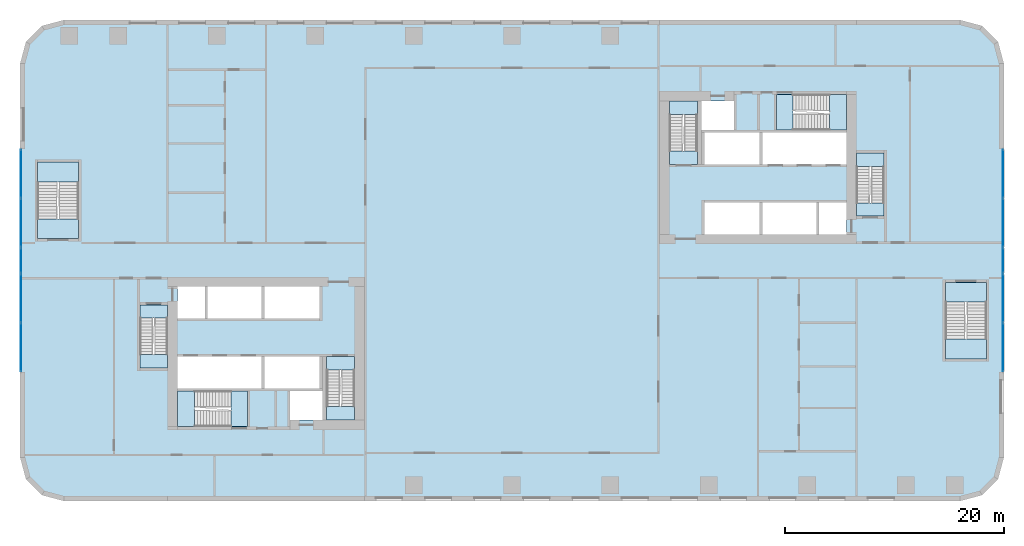
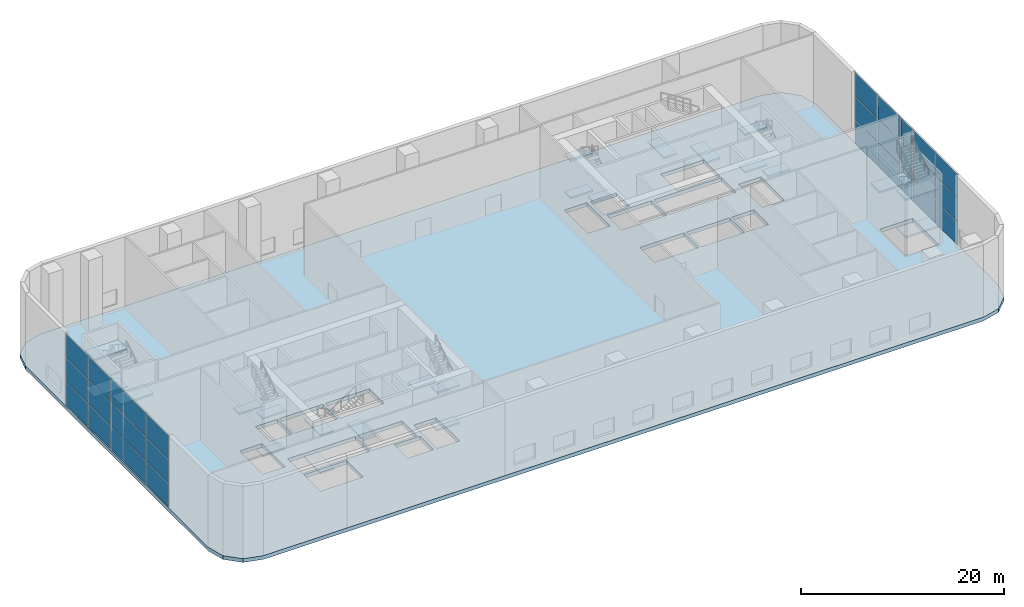
# One storey, part 4 of 24: 30 plates, 24 slabs, 14 elements without a shape of their own.
"""IFC4 building model written with IfcOpenShell, lengths in metres."""

import ifcopenshell
import ifcopenshell.guid

model = None  # the IFC model being written
_history = None  # IfcOwnerHistory: only IFC2X3 demands one
_inside = {}  # id of a spatial element -> (the spatial element, [elements in it])
_under = {}  # id of a project, library or spatial element -> (it, [spatial elements below it])
_declared = {}  # id of a project -> (the project, [libraries it declares])
_typed = {}  # id of a type object -> (the type object, [elements of that type])
_made_of = {}  # id of a material, layer set ... -> (it, [elements and type objects made of it])


def new_model(schema):
    """Start an empty IFC model of exactly this schema.

    Asked for "IFC4X3", IfcOpenShell would pick the latest addendum, in which some entities
    have other attributes; the version numbers below select the first issue.
    IFC2X3 requires an IfcOwnerHistory on every rooted entity: one is made here for all.
    """
    global model, _history
    if schema == "IFC4X3":
        model = ifcopenshell.file(schema_version=(4, 3, 0, 0))
    else:
        model = ifcopenshell.file(schema=schema)
    _inside.clear()
    _under.clear()
    _declared.clear()
    _typed.clear()
    _made_of.clear()
    _history = None
    if model.schema == "IFC2X3":
        org = make("IfcOrganization", Name="unknown")
        user = make(
            "IfcPersonAndOrganization",
            ThePerson=make("IfcPerson", FamilyName="unknown"),
            TheOrganization=org,
        )
        app = make(
            "IfcApplication",
            ApplicationDeveloper=org,
            Version="unknown",
            ApplicationFullName="unknown",
            ApplicationIdentifier="unknown",
        )
        _history = make(
            "IfcOwnerHistory",
            OwningUser=user,
            OwningApplication=app,
            ChangeAction="ADDED",
            CreationDate=0,
        )
    return model


def make(cls, **values):
    """One entity of the class cls with the attributes given. An attribute that is None is left unset."""
    return model.create_entity(
        cls, **{name: value for name, value in values.items() if value is not None}
    )


def rooted(cls, **values):
    """An entity with a GlobalId (a new one), such as an element, a storey or a relation."""
    return make(cls, GlobalId=ifcopenshell.guid.new(), OwnerHistory=_history, **values)


def si_unit(unit_type, name, prefix=None):
    """IfcSIUnit, for example si_unit("LENGTHUNIT", "METRE", prefix="MILLI")."""
    return make("IfcSIUnit", UnitType=unit_type, Prefix=prefix, Name=name)


def assignment(units):
    """IfcUnitAssignment: the units of a project."""
    return None if units is None else make("IfcUnitAssignment", Units=units)


def point(xyz):
    """IfcCartesianPoint."""
    return None if xyz is None else make("IfcCartesianPoint", Coordinates=xyz)


def direction(xyz):
    """IfcDirection."""
    return None if xyz is None else make("IfcDirection", DirectionRatios=xyz)


def frame(location, z_axis=None, x_axis=None):
    """IfcAxis2Placement3D, a coordinate frame: its origin and axes. An axis left out is left unset."""
    return make(
        "IfcAxis2Placement3D",
        Location=point(location),
        Axis=direction(z_axis),
        RefDirection=direction(x_axis),
    )


def frame_2d(location, x_axis=None):
    """IfcAxis2Placement2D, a coordinate frame in the plane: its origin and x axis."""
    return make(
        "IfcAxis2Placement2D", Location=point(location), RefDirection=direction(x_axis)
    )


def origin():
    """The frame at (0, 0, 0) with its axes left unset."""
    return frame((0.0, 0.0, 0.0))


def origin_2d():
    """The frame at (0, 0) in the plane with its x axis left unset."""
    return frame_2d((0.0, 0.0))


def place(relative_to, where):
    """IfcLocalPlacement: puts the frame where relative to a parent placement (None: the world)."""
    return make(
        "IfcLocalPlacement", PlacementRelTo=relative_to, RelativePlacement=where
    )


def context(
    kind, dimensions, precision=None, world=None, true_north=None, identifier=None
):
    """IfcGeometricRepresentationContext, for example the 3D "Model" context."""
    return make(
        "IfcGeometricRepresentationContext",
        ContextIdentifier=identifier,
        ContextType=kind,
        CoordinateSpaceDimension=dimensions,
        Precision=precision,
        WorldCoordinateSystem=world,
        TrueNorth=true_north,
    )


def subcontext(parent, identifier, kind, view, scale=None):
    """IfcGeometricRepresentationSubContext, for example "Body" below "Model"."""
    return make(
        "IfcGeometricRepresentationSubContext",
        ContextIdentifier=identifier,
        ContextType=kind,
        ParentContext=parent,
        TargetScale=scale,
        TargetView=view,
    )


def project(units=None, contexts=None):
    """IfcProject with its units and contexts."""
    return rooted(
        "IfcProject",
        Name="project",
        RepresentationContexts=contexts,
        UnitsInContext=assignment(units),
    )


def spatial(cls, under=None, at=None, **own):
    """A site, building, storey or space (cls), placed at a placement, below another one or the project."""
    s = rooted(cls, ObjectPlacement=at, **own)
    if under is not None:
        _under.setdefault(under.id(), (under, []))[1].append(s)
    return s


def polyline(points):
    """IfcPolyline through the points."""
    return make("IfcPolyline", Points=[point(p) for p in points])


def profile(cls, at=None, kind="AREA", **sizes):
    """A parametric profile (cls). Its sizes go by their IFC names, for example OverallWidth=200.0."""
    return make(cls, ProfileType=kind, Position=at, **sizes)


def rectangle(**sizes):
    """IfcRectangleProfileDef."""
    return profile("IfcRectangleProfileDef", **sizes)


def outline(outer, holes=None, kind="AREA"):
    """IfcArbitraryClosedProfileDef: a profile drawn as a closed curve; with holes, ...WithVoids."""
    if holes is None:
        return make("IfcArbitraryClosedProfileDef", ProfileType=kind, OuterCurve=outer)
    return make(
        "IfcArbitraryProfileDefWithVoids",
        ProfileType=kind,
        OuterCurve=outer,
        InnerCurves=holes,
    )


def extrude(swept, where, along, depth):
    """IfcExtrudedAreaSolid: the profile swept, set in the frame where, extruded along a direction by depth."""
    return make(
        "IfcExtrudedAreaSolid",
        SweptArea=swept,
        Position=where,
        ExtrudedDirection=direction(along),
        Depth=depth,
    )


def shape(context_of_items, identifier, shape_type, items):
    """IfcShapeRepresentation: the items that make up one representation, for example the "Body"."""
    return make(
        "IfcShapeRepresentation",
        ContextOfItems=context_of_items,
        RepresentationIdentifier=identifier,
        RepresentationType=shape_type,
        Items=items,
    )


def material(Name=None, Category=None):
    """IfcMaterial."""
    return make("IfcMaterial", Name=Name, Category=Category)


def layer(
    of_material, thickness, ventilated=None, Name=None, Category=None, Priority=None
):
    """IfcMaterialLayer: one layer of a wall or slab, of a material (None: an air gap)."""
    return make(
        "IfcMaterialLayer",
        Material=of_material,
        LayerThickness=thickness,
        IsVentilated=ventilated,
        Name=Name,
        Category=Category,
        Priority=Priority,
    )


def layer_set(layers, Name=None):
    """IfcMaterialLayerSet."""
    return make("IfcMaterialLayerSet", MaterialLayers=layers, LayerSetName=Name)


def made_of(thing, what):
    """Note that an element or type object is made of a material, layer set ...; save() writes the relation."""
    if what is not None:
        _made_of.setdefault(what.id(), (what, []))[1].append(thing)
    return thing


def type_object(cls, material=None, **own):
    """A type object (cls), such as IfcWallType, which elements share."""
    return made_of(rooted(cls, **own), material)


def element(
    cls,
    number,
    at=None,
    inside=None,
    cuts=None,
    type_object=None,
    material=None,
    context=None,
    identifier="Body",
    shape_type=None,
    held_by="IfcProductDefinitionShape",
    body=None,
    shapes=None,
    **own,
):
    """One element of the class cls, such as IfcWall. Its Tag is "e" and its number.

    at: its placement. inside: the storey or other place that contains it. cuts: it is an
    opening in that element (IfcRelVoidsElement). A single representation is given by context,
    identifier, shape_type and body (its items); several are given by shapes. held_by: the class
    of the entity that holds the representations. save() writes the other relations.
    """
    e = rooted(cls, Tag="e%d" % number, ObjectPlacement=at, **own)
    if body is not None:
        shapes = [shape(context, identifier, shape_type, body)]
    if shapes is not None:
        e.Representation = make(held_by, Representations=shapes)
    if inside is not None:
        _inside.setdefault(inside.id(), (inside, []))[1].append(e)
    if cuts is not None:
        rooted(
            "IfcRelVoidsElement", RelatingBuildingElement=cuts, RelatedOpeningElement=e
        )
    if type_object is not None:
        _typed.setdefault(type_object.id(), (type_object, []))[1].append(e)
    return made_of(e, material)


def aggregate(whole, parts):
    """IfcRelAggregates: a whole, such as a stair, and the parts it consists of."""
    return rooted("IfcRelAggregates", RelatingObject=whole, RelatedObjects=parts)


def save(model, path):
    """Write the relations noted so far, then the file.

    IfcRelAggregates (storeys below a building ...), IfcRelContainedInSpatialStructure (elements
    in a storey), IfcRelDefinesByType, IfcRelAssociatesMaterial and IfcRelDeclares: one each for
    every whole, place, type object, material and project.
    """
    for whole, parts in _under.values():
        aggregate(whole, parts)
    for where, things in _inside.values():
        rooted(
            "IfcRelContainedInSpatialStructure",
            RelatedElements=things,
            RelatingStructure=where,
        )
    for kind, things in _typed.values():
        rooted("IfcRelDefinesByType", RelatedObjects=things, RelatingType=kind)
    for what, things in _made_of.values():
        rooted("IfcRelAssociatesMaterial", RelatedObjects=things, RelatingMaterial=what)
    for by, libraries in _declared.values():
        rooted("IfcRelDeclares", RelatingContext=by, RelatedDefinitions=libraries)
    model.write(path)


model = new_model("IFC4")

# Units and contexts
model_context = context("Model", 3, precision=1e-05, world=origin(), true_north=direction((0.0, 1.0)))
body_context = subcontext(model_context, "Body", "Model", "MODEL_VIEW")
ifc_project = project(units=[si_unit("LENGTHUNIT", "METRE"), si_unit("AREAUNIT", "SQUARE_METRE"), si_unit("VOLUMEUNIT", "CUBIC_METRE"), si_unit("PLANEANGLEUNIT", "RADIAN"), si_unit("MASSUNIT", "GRAM", prefix="KILO")], contexts=[model_context])

# Site, building, storey
site_placement = place(None, origin())
site = spatial("IfcSite", under=ifc_project, at=site_placement, CompositionType="ELEMENT")
building_placement = place(site_placement, origin())
building = spatial("IfcBuilding", under=site, at=building_placement, Name="Kajstack Hotel Tower", CompositionType="ELEMENT")
storey_placement = place(building_placement, frame((0.0, 0.0, 38.0)))
storey = spatial("IfcBuildingStorey", under=building, at=storey_placement, Name="L06", CompositionType="ELEMENT", Elevation=38.0)

# Curtain wall, plates
ifc_material_1 = material(Name="Aluminium-framed curtain wall, acoustic laminated glass", Category="aluminium")
curtain_wall_type = type_object("IfcCurtainWallType", Name="CW-BALL", PredefinedType="NOTDEFINED", material=ifc_material_1)
curtain_wall_1_placement = place(storey_placement, origin())
curtain_wall_1 = element("IfcCurtainWall", 1, at=curtain_wall_1_placement, inside=storey, type_object=curtain_wall_type, Name="Curtain wall CU5 L06-07-01-0", PredefinedType="NOTDEFINED")
ifc_material_2 = material(Name="Acoustic laminated glass", Category="glass")
ifc_layer_1 = layer(ifc_material_2, 0.035888671875)
ifc_layer_set_1 = layer_set([ifc_layer_1], Name="CW-P-BALL")
plate_type = type_object("IfcPlateType", Name="CW-P-BALL", PredefinedType="CURTAIN_PANEL", material=ifc_layer_set_1)
plate_1_placement = place(storey_placement, frame((44.925048828125, -7.929931640625, 0.080078125), z_axis=(0.0, 0.0, 1.0), x_axis=(0.0, 1.0, 0.0)))
plate_1 = element("IfcPlate", 2, at=plate_1_placement, type_object=plate_type, Name="CU5 panel 1.1", PredefinedType="CURTAIN_PANEL", context=body_context, shape_type="SweptSolid", body=[
    extrude(rectangle(XDim=4.3798828125, YDim=0.035888671875, at=origin_2d()), origin(), (0.0, 0.0, 1.0), 2.780029296875),
])
plate_2_placement = place(storey_placement, frame((44.925048828125, -7.929931640625, 2.93994140625), z_axis=(0.0, 0.0, 1.0), x_axis=(0.0, 1.0, 0.0)))
plate_2 = element("IfcPlate", 3, at=plate_2_placement, type_object=plate_type, Name="CU5 panel 1.2", PredefinedType="CURTAIN_PANEL", context=body_context, shape_type="SweptSolid", body=[
    extrude(rectangle(XDim=4.3798828125, YDim=0.035888671875, at=origin_2d()), origin(), (0.0, 0.0, 1.0), 2.820068359375),
])
plate_3_placement = place(storey_placement, frame((44.925048828125, -7.929931640625, 5.83984375), z_axis=(0.0, 0.0, 1.0), x_axis=(0.0, 1.0, 0.0)))
plate_3 = element("IfcPlate", 4, at=plate_3_placement, type_object=plate_type, Name="CU5 panel 1.3", PredefinedType="CURTAIN_PANEL", context=body_context, shape_type="SweptSolid", body=[
    extrude(rectangle(XDim=4.3798828125, YDim=0.035888671875, at=origin_2d()), origin(), (0.0, 0.0, 1.0), 2.780029296875),
])
plate_4_placement = place(storey_placement, frame((44.925048828125, -3.469970703125, 0.080078125), z_axis=(0.0, 0.0, 1.0), x_axis=(0.0, 1.0, 0.0)))
plate_4 = element("IfcPlate", 5, at=plate_4_placement, type_object=plate_type, Name="CU5 panel 2.1", PredefinedType="CURTAIN_PANEL", context=body_context, shape_type="SweptSolid", body=[
    extrude(rectangle(XDim=4.3798828125, YDim=0.035888671875, at=origin_2d()), origin(), (0.0, 0.0, 1.0), 2.780029296875),
])
plate_5_placement = place(storey_placement, frame((44.925048828125, -3.469970703125, 2.93994140625), z_axis=(0.0, 0.0, 1.0), x_axis=(0.0, 1.0, 0.0)))
plate_5 = element("IfcPlate", 6, at=plate_5_placement, type_object=plate_type, Name="CU5 panel 2.2", PredefinedType="CURTAIN_PANEL", context=body_context, shape_type="SweptSolid", body=[
    extrude(rectangle(XDim=4.3798828125, YDim=0.035888671875, at=origin_2d()), origin(), (0.0, 0.0, 1.0), 2.820068359375),
])
plate_6_placement = place(storey_placement, frame((44.925048828125, -3.469970703125, 5.83984375), z_axis=(0.0, 0.0, 1.0), x_axis=(0.0, 1.0, 0.0)))
plate_6 = element("IfcPlate", 7, at=plate_6_placement, type_object=plate_type, Name="CU5 panel 2.3", PredefinedType="CURTAIN_PANEL", context=body_context, shape_type="SweptSolid", body=[
    extrude(rectangle(XDim=4.3798828125, YDim=0.035888671875, at=origin_2d()), origin(), (0.0, 0.0, 1.0), 2.780029296875),
])
aggregate(curtain_wall_1, [plate_1, plate_2, plate_3, plate_4, plate_5, plate_6])

curtain_wall_2_placement = place(storey_placement, origin())
curtain_wall_2 = element("IfcCurtainWall", 8, at=curtain_wall_2_placement, inside=storey, type_object=curtain_wall_type, Name="Curtain wall CU5 L06-07-01-1", PredefinedType="NOTDEFINED")
plate_7_placement = place(storey_placement, frame((44.925048828125, 0.0, 0.080078125), z_axis=(0.0, 0.0, 1.0), x_axis=(0.0, 1.0, 0.0)))
plate_7 = element("IfcPlate", 9, at=plate_7_placement, type_object=plate_type, Name="CU5 panel 1.1", PredefinedType="CURTAIN_PANEL", context=body_context, shape_type="SweptSolid", body=[
    extrude(rectangle(XDim=2.239990234375, YDim=0.035888671875, at=origin_2d()), origin(), (0.0, 0.0, 1.0), 2.780029296875),
])
plate_8_placement = place(storey_placement, frame((44.925048828125, 0.0, 2.93994140625), z_axis=(0.0, 0.0, 1.0), x_axis=(0.0, 1.0, 0.0)))
plate_8 = element("IfcPlate", 10, at=plate_8_placement, type_object=plate_type, Name="CU5 panel 1.2", PredefinedType="CURTAIN_PANEL", context=body_context, shape_type="SweptSolid", body=[
    extrude(rectangle(XDim=2.239990234375, YDim=0.035888671875, at=origin_2d()), origin(), (0.0, 0.0, 1.0), 2.820068359375),
])
plate_9_placement = place(storey_placement, frame((44.925048828125, 0.0, 5.83984375), z_axis=(0.0, 0.0, 1.0), x_axis=(0.0, 1.0, 0.0)))
plate_9 = element("IfcPlate", 11, at=plate_9_placement, type_object=plate_type, Name="CU5 panel 1.3", PredefinedType="CURTAIN_PANEL", context=body_context, shape_type="SweptSolid", body=[
    extrude(rectangle(XDim=2.239990234375, YDim=0.035888671875, at=origin_2d()), origin(), (0.0, 0.0, 1.0), 2.780029296875),
])
aggregate(curtain_wall_2, [plate_7, plate_8, plate_9])

curtain_wall_3_placement = place(storey_placement, origin())
curtain_wall_3 = element("IfcCurtainWall", 12, at=curtain_wall_3_placement, inside=storey, type_object=curtain_wall_type, Name="Curtain wall CU5 L06-07-01-2", PredefinedType="NOTDEFINED")
plate_10_placement = place(storey_placement, frame((44.925048828125, 3.469970703125, 0.080078125), z_axis=(0.0, 0.0, 1.0), x_axis=(0.0, 1.0, 0.0)))
plate_10 = element("IfcPlate", 13, at=plate_10_placement, type_object=plate_type, Name="CU5 panel 1.1", PredefinedType="CURTAIN_PANEL", context=body_context, shape_type="SweptSolid", body=[
    extrude(rectangle(XDim=4.3798828125, YDim=0.035888671875, at=origin_2d()), origin(), (0.0, 0.0, 1.0), 2.780029296875),
])
plate_11_placement = place(storey_placement, frame((44.925048828125, 3.469970703125, 2.93994140625), z_axis=(0.0, 0.0, 1.0), x_axis=(0.0, 1.0, 0.0)))
plate_11 = element("IfcPlate", 14, at=plate_11_placement, type_object=plate_type, Name="CU5 panel 1.2", PredefinedType="CURTAIN_PANEL", context=body_context, shape_type="SweptSolid", body=[
    extrude(rectangle(XDim=4.3798828125, YDim=0.035888671875, at=origin_2d()), origin(), (0.0, 0.0, 1.0), 2.820068359375),
])
plate_12_placement = place(storey_placement, frame((44.925048828125, 3.469970703125, 5.83984375), z_axis=(0.0, 0.0, 1.0), x_axis=(0.0, 1.0, 0.0)))
plate_12 = element("IfcPlate", 15, at=plate_12_placement, type_object=plate_type, Name="CU5 panel 1.3", PredefinedType="CURTAIN_PANEL", context=body_context, shape_type="SweptSolid", body=[
    extrude(rectangle(XDim=4.3798828125, YDim=0.035888671875, at=origin_2d()), origin(), (0.0, 0.0, 1.0), 2.780029296875),
])
plate_13_placement = place(storey_placement, frame((44.925048828125, 7.929931640625, 0.080078125), z_axis=(0.0, 0.0, 1.0), x_axis=(0.0, 1.0, 0.0)))
plate_13 = element("IfcPlate", 16, at=plate_13_placement, type_object=plate_type, Name="CU5 panel 2.1", PredefinedType="CURTAIN_PANEL", context=body_context, shape_type="SweptSolid", body=[
    extrude(rectangle(XDim=4.3798828125, YDim=0.035888671875, at=origin_2d()), origin(), (0.0, 0.0, 1.0), 2.780029296875),
])
plate_14_placement = place(storey_placement, frame((44.925048828125, 7.929931640625, 2.93994140625), z_axis=(0.0, 0.0, 1.0), x_axis=(0.0, 1.0, 0.0)))
plate_14 = element("IfcPlate", 17, at=plate_14_placement, type_object=plate_type, Name="CU5 panel 2.2", PredefinedType="CURTAIN_PANEL", context=body_context, shape_type="SweptSolid", body=[
    extrude(rectangle(XDim=4.3798828125, YDim=0.035888671875, at=origin_2d()), origin(), (0.0, 0.0, 1.0), 2.820068359375),
])
plate_15_placement = place(storey_placement, frame((44.925048828125, 7.929931640625, 5.83984375), z_axis=(0.0, 0.0, 1.0), x_axis=(0.0, 1.0, 0.0)))
plate_15 = element("IfcPlate", 18, at=plate_15_placement, type_object=plate_type, Name="CU5 panel 2.3", PredefinedType="CURTAIN_PANEL", context=body_context, shape_type="SweptSolid", body=[
    extrude(rectangle(XDim=4.3798828125, YDim=0.035888671875, at=origin_2d()), origin(), (0.0, 0.0, 1.0), 2.780029296875),
])
aggregate(curtain_wall_3, [plate_10, plate_11, plate_12, plate_13, plate_14, plate_15])

curtain_wall_4_placement = place(storey_placement, origin())
curtain_wall_4 = element("IfcCurtainWall", 19, at=curtain_wall_4_placement, inside=storey, type_object=curtain_wall_type, Name="Curtain wall CU5 L06-15-01-0", PredefinedType="NOTDEFINED")
plate_16_placement = place(storey_placement, frame((-44.925048828125, 7.929931640625, 0.080078125), z_axis=(0.0, 0.0, 1.0), x_axis=(0.0, -1.0, 0.0)))
plate_16 = element("IfcPlate", 20, at=plate_16_placement, type_object=plate_type, Name="CU5 panel 1.1", PredefinedType="CURTAIN_PANEL", context=body_context, shape_type="SweptSolid", body=[
    extrude(rectangle(XDim=4.3798828125, YDim=0.035888671875, at=origin_2d()), origin(), (0.0, 0.0, 1.0), 2.780029296875),
])
plate_17_placement = place(storey_placement, frame((-44.925048828125, 7.929931640625, 2.93994140625), z_axis=(0.0, 0.0, 1.0), x_axis=(0.0, -1.0, 0.0)))
plate_17 = element("IfcPlate", 21, at=plate_17_placement, type_object=plate_type, Name="CU5 panel 1.2", PredefinedType="CURTAIN_PANEL", context=body_context, shape_type="SweptSolid", body=[
    extrude(rectangle(XDim=4.3798828125, YDim=0.035888671875, at=origin_2d()), origin(), (0.0, 0.0, 1.0), 2.820068359375),
])
plate_18_placement = place(storey_placement, frame((-44.925048828125, 7.929931640625, 5.83984375), z_axis=(0.0, 0.0, 1.0), x_axis=(0.0, -1.0, 0.0)))
plate_18 = element("IfcPlate", 22, at=plate_18_placement, type_object=plate_type, Name="CU5 panel 1.3", PredefinedType="CURTAIN_PANEL", context=body_context, shape_type="SweptSolid", body=[
    extrude(rectangle(XDim=4.3798828125, YDim=0.035888671875, at=origin_2d()), origin(), (0.0, 0.0, 1.0), 2.780029296875),
])
plate_19_placement = place(storey_placement, frame((-44.925048828125, 3.469970703125, 0.080078125), z_axis=(0.0, 0.0, 1.0), x_axis=(0.0, -1.0, 0.0)))
plate_19 = element("IfcPlate", 23, at=plate_19_placement, type_object=plate_type, Name="CU5 panel 2.1", PredefinedType="CURTAIN_PANEL", context=body_context, shape_type="SweptSolid", body=[
    extrude(rectangle(XDim=4.3798828125, YDim=0.035888671875, at=origin_2d()), origin(), (0.0, 0.0, 1.0), 2.780029296875),
])
plate_20_placement = place(storey_placement, frame((-44.925048828125, 3.469970703125, 2.93994140625), z_axis=(0.0, 0.0, 1.0), x_axis=(0.0, -1.0, 0.0)))
plate_20 = element("IfcPlate", 24, at=plate_20_placement, type_object=plate_type, Name="CU5 panel 2.2", PredefinedType="CURTAIN_PANEL", context=body_context, shape_type="SweptSolid", body=[
    extrude(rectangle(XDim=4.3798828125, YDim=0.035888671875, at=origin_2d()), origin(), (0.0, 0.0, 1.0), 2.820068359375),
])
plate_21_placement = place(storey_placement, frame((-44.925048828125, 3.469970703125, 5.83984375), z_axis=(0.0, 0.0, 1.0), x_axis=(0.0, -1.0, 0.0)))
plate_21 = element("IfcPlate", 25, at=plate_21_placement, type_object=plate_type, Name="CU5 panel 2.3", PredefinedType="CURTAIN_PANEL", context=body_context, shape_type="SweptSolid", body=[
    extrude(rectangle(XDim=4.3798828125, YDim=0.035888671875, at=origin_2d()), origin(), (0.0, 0.0, 1.0), 2.780029296875),
])
aggregate(curtain_wall_4, [plate_16, plate_17, plate_18, plate_19, plate_20, plate_21])

curtain_wall_5_placement = place(storey_placement, origin())
curtain_wall_5 = element("IfcCurtainWall", 26, at=curtain_wall_5_placement, inside=storey, type_object=curtain_wall_type, Name="Curtain wall CU5 L06-15-01-1", PredefinedType="NOTDEFINED")
plate_22_placement = place(storey_placement, frame((-44.925048828125, 0.0, 0.080078125), z_axis=(0.0, 0.0, 1.0), x_axis=(0.0, -1.0, 0.0)))
plate_22 = element("IfcPlate", 27, at=plate_22_placement, type_object=plate_type, Name="CU5 panel 1.1", PredefinedType="CURTAIN_PANEL", context=body_context, shape_type="SweptSolid", body=[
    extrude(rectangle(XDim=2.239990234375, YDim=0.035888671875, at=origin_2d()), origin(), (0.0, 0.0, 1.0), 2.780029296875),
])
plate_23_placement = place(storey_placement, frame((-44.925048828125, 0.0, 2.93994140625), z_axis=(0.0, 0.0, 1.0), x_axis=(0.0, -1.0, 0.0)))
plate_23 = element("IfcPlate", 28, at=plate_23_placement, type_object=plate_type, Name="CU5 panel 1.2", PredefinedType="CURTAIN_PANEL", context=body_context, shape_type="SweptSolid", body=[
    extrude(rectangle(XDim=2.239990234375, YDim=0.035888671875, at=origin_2d()), origin(), (0.0, 0.0, 1.0), 2.820068359375),
])
plate_24_placement = place(storey_placement, frame((-44.925048828125, 0.0, 5.83984375), z_axis=(0.0, 0.0, 1.0), x_axis=(0.0, -1.0, 0.0)))
plate_24 = element("IfcPlate", 29, at=plate_24_placement, type_object=plate_type, Name="CU5 panel 1.3", PredefinedType="CURTAIN_PANEL", context=body_context, shape_type="SweptSolid", body=[
    extrude(rectangle(XDim=2.239990234375, YDim=0.035888671875, at=origin_2d()), origin(), (0.0, 0.0, 1.0), 2.780029296875),
])
aggregate(curtain_wall_5, [plate_22, plate_23, plate_24])

curtain_wall_6_placement = place(storey_placement, origin())
curtain_wall_6 = element("IfcCurtainWall", 30, at=curtain_wall_6_placement, inside=storey, type_object=curtain_wall_type, Name="Curtain wall CU5 L06-15-01-2", PredefinedType="NOTDEFINED")
plate_25_placement = place(storey_placement, frame((-44.925048828125, -3.469970703125, 0.080078125), z_axis=(0.0, 0.0, 1.0), x_axis=(0.0, -1.0, 0.0)))
plate_25 = element("IfcPlate", 31, at=plate_25_placement, type_object=plate_type, Name="CU5 panel 1.1", PredefinedType="CURTAIN_PANEL", context=body_context, shape_type="SweptSolid", body=[
    extrude(rectangle(XDim=4.3798828125, YDim=0.035888671875, at=origin_2d()), origin(), (0.0, 0.0, 1.0), 2.780029296875),
])
plate_26_placement = place(storey_placement, frame((-44.925048828125, -3.469970703125, 2.93994140625), z_axis=(0.0, 0.0, 1.0), x_axis=(0.0, -1.0, 0.0)))
plate_26 = element("IfcPlate", 32, at=plate_26_placement, type_object=plate_type, Name="CU5 panel 1.2", PredefinedType="CURTAIN_PANEL", context=body_context, shape_type="SweptSolid", body=[
    extrude(rectangle(XDim=4.3798828125, YDim=0.035888671875, at=origin_2d()), origin(), (0.0, 0.0, 1.0), 2.820068359375),
])
plate_27_placement = place(storey_placement, frame((-44.925048828125, -3.469970703125, 5.83984375), z_axis=(0.0, 0.0, 1.0), x_axis=(0.0, -1.0, 0.0)))
plate_27 = element("IfcPlate", 33, at=plate_27_placement, type_object=plate_type, Name="CU5 panel 1.3", PredefinedType="CURTAIN_PANEL", context=body_context, shape_type="SweptSolid", body=[
    extrude(rectangle(XDim=4.3798828125, YDim=0.035888671875, at=origin_2d()), origin(), (0.0, 0.0, 1.0), 2.780029296875),
])
plate_28_placement = place(storey_placement, frame((-44.925048828125, -7.929931640625, 0.080078125), z_axis=(0.0, 0.0, 1.0), x_axis=(0.0, -1.0, 0.0)))
plate_28 = element("IfcPlate", 34, at=plate_28_placement, type_object=plate_type, Name="CU5 panel 2.1", PredefinedType="CURTAIN_PANEL", context=body_context, shape_type="SweptSolid", body=[
    extrude(rectangle(XDim=4.3798828125, YDim=0.035888671875, at=origin_2d()), origin(), (0.0, 0.0, 1.0), 2.780029296875),
])
plate_29_placement = place(storey_placement, frame((-44.925048828125, -7.929931640625, 2.93994140625), z_axis=(0.0, 0.0, 1.0), x_axis=(0.0, -1.0, 0.0)))
plate_29 = element("IfcPlate", 35, at=plate_29_placement, type_object=plate_type, Name="CU5 panel 2.2", PredefinedType="CURTAIN_PANEL", context=body_context, shape_type="SweptSolid", body=[
    extrude(rectangle(XDim=4.3798828125, YDim=0.035888671875, at=origin_2d()), origin(), (0.0, 0.0, 1.0), 2.820068359375),
])
plate_30_placement = place(storey_placement, frame((-44.925048828125, -7.929931640625, 5.83984375), z_axis=(0.0, 0.0, 1.0), x_axis=(0.0, -1.0, 0.0)))
plate_30 = element("IfcPlate", 36, at=plate_30_placement, type_object=plate_type, Name="CU5 panel 2.3", PredefinedType="CURTAIN_PANEL", context=body_context, shape_type="SweptSolid", body=[
    extrude(rectangle(XDim=4.3798828125, YDim=0.035888671875, at=origin_2d()), origin(), (0.0, 0.0, 1.0), 2.780029296875),
])
aggregate(curtain_wall_6, [plate_25, plate_26, plate_27, plate_28, plate_29, plate_30])

# Slab
ifc_material_3 = material(Name="Concrete C45/55", Category="concrete")
ifc_layer_2 = layer(ifc_material_3, 0.449951171875)
ifc_layer_set_2 = layer_set([ifc_layer_2], Name="RC slab 450 C45/55 podium")
slab_type_1 = type_object("IfcSlabType", Name="RC slab 450 C45/55 podium", PredefinedType="FLOOR", material=ifc_layer_set_2)
slab_1_placement = place(storey_placement, frame((0.0, 0.0, -0.449951171875)))
element("IfcSlab", 37, at=slab_1_placement, inside=storey, type_object=slab_type_1, Name="S-slab-L06", PredefinedType="FLOOR", context=body_context, shape_type="SweptSolid", body=[
    extrude(outline(polyline([(-45.0, -18.0), (-44.464111328125, -20.0), (-43.0, -21.464111328125), (-41.0, -22.0), (41.0, -22.0), (43.0, -21.464111328125), (44.464111328125, -20.0), (45.0, -18.0), (45.0, 18.0), (44.464111328125, 20.0), (43.0, 21.464111328125), (41.0, 22.0), (-41.0, 22.0), (-43.0, 21.464111328125), (-44.464111328125, 20.0), (-45.0, 18.0), (-45.0, -18.0)]), holes=[polyline([(-30.60009765625, -11.699951171875), (-30.60009765625, -8.800048828125), (-22.89990234375, -8.800048828125), (-22.89990234375, -11.699951171875), (-30.60009765625, -11.699951171875)]), polyline([(-22.64990234375, -11.699951171875), (-22.64990234375, -8.800048828125), (-17.60009765625, -8.800048828125), (-17.60009765625, -11.699951171875), (-22.64990234375, -11.699951171875)]), polyline([(-27.85009765625, -5.300048828125), (-27.85009765625, -2.39990234375), (-22.89990234375, -2.39990234375), (-22.89990234375, -5.300048828125), (-27.85009765625, -5.300048828125)]), polyline([(-22.64990234375, -5.300048828125), (-22.64990234375, -2.39990234375), (-17.60009765625, -2.39990234375), (-17.60009765625, -5.300048828125), (-22.64990234375, -5.300048828125)]), polyline([(-20.300048828125, -14.60009765625), (-17.35009765625, -14.60009765625), (-17.35009765625, -11.949951171875), (-20.300048828125, -11.949951171875), (-20.300048828125, -14.60009765625)]), polyline([(-30.60009765625, -5.300048828125), (-28.10009765625, -5.300048828125), (-28.10009765625, -2.39990234375), (-30.60009765625, -2.39990234375), (-30.60009765625, -5.300048828125)]), polyline([(22.89990234375, 8.800048828125), (22.89990234375, 11.699951171875), (30.60009765625, 11.699951171875), (30.60009765625, 8.800048828125), (22.89990234375, 8.800048828125)]), polyline([(17.60009765625, 8.800048828125), (17.60009765625, 11.699951171875), (22.64990234375, 11.699951171875), (22.64990234375, 8.800048828125), (17.60009765625, 8.800048828125)]), polyline([(22.89990234375, 2.39990234375), (22.89990234375, 5.300048828125), (27.85009765625, 5.300048828125), (27.85009765625, 2.39990234375), (22.89990234375, 2.39990234375)]), polyline([(17.60009765625, 2.39990234375), (17.60009765625, 5.300048828125), (22.64990234375, 5.300048828125), (22.64990234375, 2.39990234375), (17.60009765625, 2.39990234375)]), polyline([(20.300048828125, 14.60009765625), (17.35009765625, 14.60009765625), (17.35009765625, 11.949951171875), (20.300048828125, 11.949951171875), (20.300048828125, 14.60009765625)]), polyline([(30.60009765625, 5.300048828125), (28.10009765625, 5.300048828125), (28.10009765625, 2.39990234375), (30.60009765625, 2.39990234375), (30.60009765625, 5.300048828125)]), polyline([(-34.050048828125, -9.85009765625), (-31.5, -9.85009765625), (-31.5, -5.25), (-34.050048828125, -5.25), (-34.050048828125, -9.85009765625)]), polyline([(-16.949951171875, -14.60009765625), (-14.39990234375, -14.60009765625), (-14.39990234375, -10.0), (-16.949951171875, -10.0), (-16.949951171875, -14.60009765625)]), polyline([(-30.60009765625, -15.199951171875), (-25.699951171875, -15.199951171875), (-25.699951171875, -11.949951171875), (-30.60009765625, -11.949951171875), (-30.60009765625, -15.199951171875)]), polyline([(34.050048828125, 9.85009765625), (31.5, 9.85009765625), (31.5, 5.25), (34.050048828125, 5.25), (34.050048828125, 9.85009765625)]), polyline([(16.949951171875, 14.60009765625), (14.39990234375, 14.60009765625), (14.39990234375, 10.0), (16.949951171875, 10.0), (16.949951171875, 14.60009765625)]), polyline([(30.60009765625, 15.199951171875), (25.699951171875, 15.199951171875), (25.699951171875, 11.949951171875), (30.60009765625, 11.949951171875), (30.60009765625, 15.199951171875)]), polyline([(-43.39990234375, 3.800048828125), (-39.64990234375, 3.800048828125), (-39.64990234375, 9.0), (-43.39990234375, 9.0), (-43.39990234375, 3.800048828125)]), polyline([(39.64990234375, -9.0), (43.39990234375, -9.0), (43.39990234375, -3.800048828125), (39.64990234375, -3.800048828125), (39.64990234375, -9.0)])]), origin(), (0.0, 0.0, 1.0), 0.449951171875),
])

# Stair, slabs
ifc_material_4 = material(Name="Concrete C40/50", Category="concrete")
stair_type_1 = type_object("IfcStairType", Name="Exit stair 1200", PredefinedType="HALF_TURN_STAIR", material=ifc_material_4)
stair_1_placement = place(storey_placement, origin())
stair_1 = element("IfcStair", 38, at=stair_1_placement, inside=storey, type_object=stair_type_1, Name="L06 stair W1", PredefinedType="HALF_TURN_STAIR")
ifc_layer_3 = layer(ifc_material_4, 0.199951171875)
ifc_layer_set_3 = layer_set([ifc_layer_3], Name="Stair landing 200")
slab_type_2 = type_object("IfcSlabType", Name="Stair landing 200", PredefinedType="LANDING", material=ifc_layer_set_3)
slab_2_placement = place(storey_placement, frame((0.0, 0.0, 2.050048828125)))
slab_2 = element("IfcSlab", 39, at=slab_2_placement, type_object=slab_type_2, Name="W1 landing 1", PredefinedType="LANDING", context=body_context, shape_type="SweptSolid", body=[
    extrude(outline(polyline([(-34.050048828125, -8.610107421875), (-34.050048828125, -9.85009765625), (-31.5, -9.85009765625), (-31.5, -8.610107421875), (-34.050048828125, -8.610107421875)])), origin(), (0.0, 0.0, 1.0), 0.199951171875),
])
slab_3_placement = place(storey_placement, frame((0.0, 0.0, 4.300048828125)))
slab_3 = element("IfcSlab", 40, at=slab_3_placement, type_object=slab_type_2, Name="W1 landing 2", PredefinedType="LANDING", context=body_context, shape_type="SweptSolid", body=[
    extrude(outline(polyline([(-34.050048828125, -4.050048828125), (-34.050048828125, -5.25), (-31.5, -5.25), (-31.5, -4.050048828125), (-34.050048828125, -4.050048828125)])), origin(), (0.0, 0.0, 1.0), 0.199951171875),
])
slab_4_placement = place(storey_placement, frame((0.0, 0.0, 6.550048828125)))
slab_4 = element("IfcSlab", 41, at=slab_4_placement, type_object=slab_type_2, Name="W1 landing 3", PredefinedType="LANDING", context=body_context, shape_type="SweptSolid", body=[
    extrude(outline(polyline([(-34.050048828125, -8.610107421875), (-34.050048828125, -9.85009765625), (-31.5, -9.85009765625), (-31.5, -8.610107421875), (-34.050048828125, -8.610107421875)])), origin(), (0.0, 0.0, 1.0), 0.199951171875),
])
aggregate(stair_1, [slab_2, slab_3, slab_4])

stair_2_placement = place(storey_placement, origin())
stair_2 = element("IfcStair", 42, at=stair_2_placement, inside=storey, type_object=stair_type_1, Name="L06 stair W2", PredefinedType="HALF_TURN_STAIR")
slab_5_placement = place(storey_placement, frame((0.0, 0.0, 2.050048828125)))
slab_5 = element("IfcSlab", 43, at=slab_5_placement, type_object=slab_type_2, Name="W2 landing 1", PredefinedType="LANDING", context=body_context, shape_type="SweptSolid", body=[
    extrude(outline(polyline([(-16.949951171875, -13.360107421875), (-16.949951171875, -14.60009765625), (-14.39990234375, -14.60009765625), (-14.39990234375, -13.360107421875), (-16.949951171875, -13.360107421875)])), origin(), (0.0, 0.0, 1.0), 0.199951171875),
])
slab_6_placement = place(storey_placement, frame((0.0, 0.0, 4.300048828125)))
slab_6 = element("IfcSlab", 44, at=slab_6_placement, type_object=slab_type_2, Name="W2 landing 2", PredefinedType="LANDING", context=body_context, shape_type="SweptSolid", body=[
    extrude(outline(polyline([(-16.949951171875, -8.800048828125), (-16.949951171875, -10.0), (-14.39990234375, -10.0), (-14.39990234375, -8.800048828125), (-16.949951171875, -8.800048828125)])), origin(), (0.0, 0.0, 1.0), 0.199951171875),
])
slab_7_placement = place(storey_placement, frame((0.0, 0.0, 6.550048828125)))
slab_7 = element("IfcSlab", 45, at=slab_7_placement, type_object=slab_type_2, Name="W2 landing 3", PredefinedType="LANDING", context=body_context, shape_type="SweptSolid", body=[
    extrude(outline(polyline([(-16.949951171875, -13.360107421875), (-16.949951171875, -14.60009765625), (-14.39990234375, -14.60009765625), (-14.39990234375, -13.360107421875), (-16.949951171875, -13.360107421875)])), origin(), (0.0, 0.0, 1.0), 0.199951171875),
])
aggregate(stair_2, [slab_5, slab_6, slab_7])

stair_type_2 = type_object("IfcStairType", Name="Exit stair 1500", PredefinedType="HALF_TURN_STAIR", material=ifc_material_4)
stair_3_placement = place(storey_placement, origin())
stair_3 = element("IfcStair", 46, at=stair_3_placement, inside=storey, type_object=stair_type_2, Name="L06 stair W3", PredefinedType="HALF_TURN_STAIR")
slab_8_placement = place(storey_placement, frame((0.0, 0.0, 2.050048828125)))
slab_8 = element("IfcSlab", 47, at=slab_8_placement, type_object=slab_type_2, Name="W3 landing 1", PredefinedType="LANDING", context=body_context, shape_type="SweptSolid", body=[
    extrude(outline(polyline([(-29.06005859375, -11.949951171875), (-30.60009765625, -11.949951171875), (-30.60009765625, -15.199951171875), (-29.06005859375, -15.199951171875), (-29.06005859375, -11.949951171875)])), origin(), (0.0, 0.0, 1.0), 0.199951171875),
])
slab_9_placement = place(storey_placement, frame((0.0, 0.0, 4.300048828125)))
slab_9 = element("IfcSlab", 48, at=slab_9_placement, type_object=slab_type_2, Name="W3 landing 2", PredefinedType="LANDING", context=body_context, shape_type="SweptSolid", body=[
    extrude(outline(polyline([(-24.199951171875, -11.949951171875), (-25.699951171875, -11.949951171875), (-25.699951171875, -15.199951171875), (-24.199951171875, -15.199951171875), (-24.199951171875, -11.949951171875)])), origin(), (0.0, 0.0, 1.0), 0.199951171875),
])
slab_10_placement = place(storey_placement, frame((0.0, 0.0, 6.550048828125)))
slab_10 = element("IfcSlab", 49, at=slab_10_placement, type_object=slab_type_2, Name="W3 landing 3", PredefinedType="LANDING", context=body_context, shape_type="SweptSolid", body=[
    extrude(outline(polyline([(-29.06005859375, -11.949951171875), (-30.60009765625, -11.949951171875), (-30.60009765625, -15.199951171875), (-29.06005859375, -15.199951171875), (-29.06005859375, -11.949951171875)])), origin(), (0.0, 0.0, 1.0), 0.199951171875),
])
aggregate(stair_3, [slab_8, slab_9, slab_10])

stair_4_placement = place(storey_placement, origin())
stair_4 = element("IfcStair", 50, at=stair_4_placement, inside=storey, type_object=stair_type_1, Name="L06 stair E1", PredefinedType="HALF_TURN_STAIR")
slab_11_placement = place(storey_placement, frame((0.0, 0.0, 2.050048828125)))
slab_11 = element("IfcSlab", 51, at=slab_11_placement, type_object=slab_type_2, Name="E1 landing 1", PredefinedType="LANDING", context=body_context, shape_type="SweptSolid", body=[
    extrude(outline(polyline([(34.050048828125, 8.610107421875), (34.050048828125, 9.85009765625), (31.5, 9.85009765625), (31.5, 8.610107421875), (34.050048828125, 8.610107421875)])), origin(), (0.0, 0.0, 1.0), 0.199951171875),
])
slab_12_placement = place(storey_placement, frame((0.0, 0.0, 4.300048828125)))
slab_12 = element("IfcSlab", 52, at=slab_12_placement, type_object=slab_type_2, Name="E1 landing 2", PredefinedType="LANDING", context=body_context, shape_type="SweptSolid", body=[
    extrude(outline(polyline([(34.050048828125, 4.050048828125), (34.050048828125, 5.25), (31.5, 5.25), (31.5, 4.050048828125), (34.050048828125, 4.050048828125)])), origin(), (0.0, 0.0, 1.0), 0.199951171875),
])
slab_13_placement = place(storey_placement, frame((0.0, 0.0, 6.550048828125)))
slab_13 = element("IfcSlab", 53, at=slab_13_placement, type_object=slab_type_2, Name="E1 landing 3", PredefinedType="LANDING", context=body_context, shape_type="SweptSolid", body=[
    extrude(outline(polyline([(34.050048828125, 8.610107421875), (34.050048828125, 9.85009765625), (31.5, 9.85009765625), (31.5, 8.610107421875), (34.050048828125, 8.610107421875)])), origin(), (0.0, 0.0, 1.0), 0.199951171875),
])
aggregate(stair_4, [slab_11, slab_12, slab_13])

stair_5_placement = place(storey_placement, origin())
stair_5 = element("IfcStair", 54, at=stair_5_placement, inside=storey, type_object=stair_type_1, Name="L06 stair E2", PredefinedType="HALF_TURN_STAIR")
slab_14_placement = place(storey_placement, frame((0.0, 0.0, 2.050048828125)))
slab_14 = element("IfcSlab", 55, at=slab_14_placement, type_object=slab_type_2, Name="E2 landing 1", PredefinedType="LANDING", context=body_context, shape_type="SweptSolid", body=[
    extrude(outline(polyline([(16.949951171875, 13.360107421875), (16.949951171875, 14.60009765625), (14.39990234375, 14.60009765625), (14.39990234375, 13.360107421875), (16.949951171875, 13.360107421875)])), origin(), (0.0, 0.0, 1.0), 0.199951171875),
])
slab_15_placement = place(storey_placement, frame((0.0, 0.0, 4.300048828125)))
slab_15 = element("IfcSlab", 56, at=slab_15_placement, type_object=slab_type_2, Name="E2 landing 2", PredefinedType="LANDING", context=body_context, shape_type="SweptSolid", body=[
    extrude(outline(polyline([(16.949951171875, 8.800048828125), (16.949951171875, 10.0), (14.39990234375, 10.0), (14.39990234375, 8.800048828125), (16.949951171875, 8.800048828125)])), origin(), (0.0, 0.0, 1.0), 0.199951171875),
])
slab_16_placement = place(storey_placement, frame((0.0, 0.0, 6.550048828125)))
slab_16 = element("IfcSlab", 57, at=slab_16_placement, type_object=slab_type_2, Name="E2 landing 3", PredefinedType="LANDING", context=body_context, shape_type="SweptSolid", body=[
    extrude(outline(polyline([(16.949951171875, 13.360107421875), (16.949951171875, 14.60009765625), (14.39990234375, 14.60009765625), (14.39990234375, 13.360107421875), (16.949951171875, 13.360107421875)])), origin(), (0.0, 0.0, 1.0), 0.199951171875),
])
aggregate(stair_5, [slab_14, slab_15, slab_16])

stair_6_placement = place(storey_placement, origin())
stair_6 = element("IfcStair", 58, at=stair_6_placement, inside=storey, type_object=stair_type_2, Name="L06 stair E3", PredefinedType="HALF_TURN_STAIR")
slab_17_placement = place(storey_placement, frame((0.0, 0.0, 2.050048828125)))
slab_17 = element("IfcSlab", 59, at=slab_17_placement, type_object=slab_type_2, Name="E3 landing 1", PredefinedType="LANDING", context=body_context, shape_type="SweptSolid", body=[
    extrude(outline(polyline([(29.06005859375, 11.949951171875), (30.60009765625, 11.949951171875), (30.60009765625, 15.199951171875), (29.06005859375, 15.199951171875), (29.06005859375, 11.949951171875)])), origin(), (0.0, 0.0, 1.0), 0.199951171875),
])
slab_18_placement = place(storey_placement, frame((0.0, 0.0, 4.300048828125)))
slab_18 = element("IfcSlab", 60, at=slab_18_placement, type_object=slab_type_2, Name="E3 landing 2", PredefinedType="LANDING", context=body_context, shape_type="SweptSolid", body=[
    extrude(outline(polyline([(24.199951171875, 11.949951171875), (25.699951171875, 11.949951171875), (25.699951171875, 15.199951171875), (24.199951171875, 15.199951171875), (24.199951171875, 11.949951171875)])), origin(), (0.0, 0.0, 1.0), 0.199951171875),
])
aggregate(stair_6, [slab_17, slab_18])

stair_type_3 = type_object("IfcStairType", Name="Escape stair 1800", PredefinedType="HALF_TURN_STAIR", material=ifc_material_4)
stair_7_placement = place(storey_placement, origin())
stair_7 = element("IfcStair", 61, at=stair_7_placement, inside=storey, type_object=stair_type_3, Name="L06 stair P1", PredefinedType="HALF_TURN_STAIR")
slab_19_placement = place(storey_placement, frame((0.0, 0.0, 2.050048828125)))
slab_19 = element("IfcSlab", 62, at=slab_19_placement, type_object=slab_type_2, Name="P1 landing 1", PredefinedType="LANDING", context=body_context, shape_type="SweptSolid", body=[
    extrude(outline(polyline([(-39.64990234375, 7.159912109375), (-39.64990234375, 9.0), (-43.39990234375, 9.0), (-43.39990234375, 7.159912109375), (-39.64990234375, 7.159912109375)])), origin(), (0.0, 0.0, 1.0), 0.199951171875),
])
slab_20_placement = place(storey_placement, frame((0.0, 0.0, 4.300048828125)))
slab_20 = element("IfcSlab", 63, at=slab_20_placement, type_object=slab_type_2, Name="P1 landing 2", PredefinedType="LANDING", context=body_context, shape_type="SweptSolid", body=[
    extrude(outline(polyline([(-39.64990234375, 2.0), (-39.64990234375, 3.800048828125), (-43.39990234375, 3.800048828125), (-43.39990234375, 2.0), (-39.64990234375, 2.0)])), origin(), (0.0, 0.0, 1.0), 0.199951171875),
])
slab_21_placement = place(storey_placement, frame((0.0, 0.0, 6.550048828125)))
slab_21 = element("IfcSlab", 64, at=slab_21_placement, type_object=slab_type_2, Name="P1 landing 3", PredefinedType="LANDING", context=body_context, shape_type="SweptSolid", body=[
    extrude(outline(polyline([(-39.64990234375, 7.159912109375), (-39.64990234375, 9.0), (-43.39990234375, 9.0), (-43.39990234375, 7.159912109375), (-39.64990234375, 7.159912109375)])), origin(), (0.0, 0.0, 1.0), 0.199951171875),
])
aggregate(stair_7, [slab_19, slab_20, slab_21])

stair_8_placement = place(storey_placement, origin())
stair_8 = element("IfcStair", 65, at=stair_8_placement, inside=storey, type_object=stair_type_3, Name="L06 stair P2", PredefinedType="HALF_TURN_STAIR")
slab_22_placement = place(storey_placement, frame((0.0, 0.0, 2.050048828125)))
slab_22 = element("IfcSlab", 66, at=slab_22_placement, type_object=slab_type_2, Name="P2 landing 1", PredefinedType="LANDING", context=body_context, shape_type="SweptSolid", body=[
    extrude(outline(polyline([(39.64990234375, -7.159912109375), (39.64990234375, -9.0), (43.39990234375, -9.0), (43.39990234375, -7.159912109375), (39.64990234375, -7.159912109375)])), origin(), (0.0, 0.0, 1.0), 0.199951171875),
])
slab_23_placement = place(storey_placement, frame((0.0, 0.0, 4.300048828125)))
slab_23 = element("IfcSlab", 67, at=slab_23_placement, type_object=slab_type_2, Name="P2 landing 2", PredefinedType="LANDING", context=body_context, shape_type="SweptSolid", body=[
    extrude(outline(polyline([(39.64990234375, -2.0), (39.64990234375, -3.800048828125), (43.39990234375, -3.800048828125), (43.39990234375, -2.0), (39.64990234375, -2.0)])), origin(), (0.0, 0.0, 1.0), 0.199951171875),
])
slab_24_placement = place(storey_placement, frame((0.0, 0.0, 6.550048828125)))
slab_24 = element("IfcSlab", 68, at=slab_24_placement, type_object=slab_type_2, Name="P2 landing 3", PredefinedType="LANDING", context=body_context, shape_type="SweptSolid", body=[
    extrude(outline(polyline([(39.64990234375, -7.159912109375), (39.64990234375, -9.0), (43.39990234375, -9.0), (43.39990234375, -7.159912109375), (39.64990234375, -7.159912109375)])), origin(), (0.0, 0.0, 1.0), 0.199951171875),
])
aggregate(stair_8, [slab_22, slab_23, slab_24])

save(model, "model.ifc")
